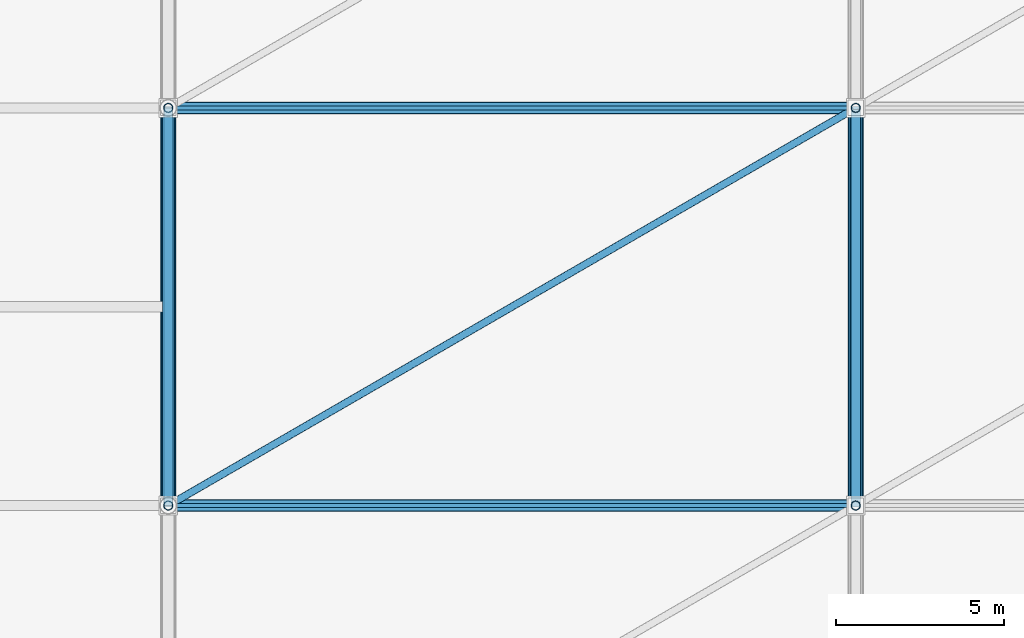
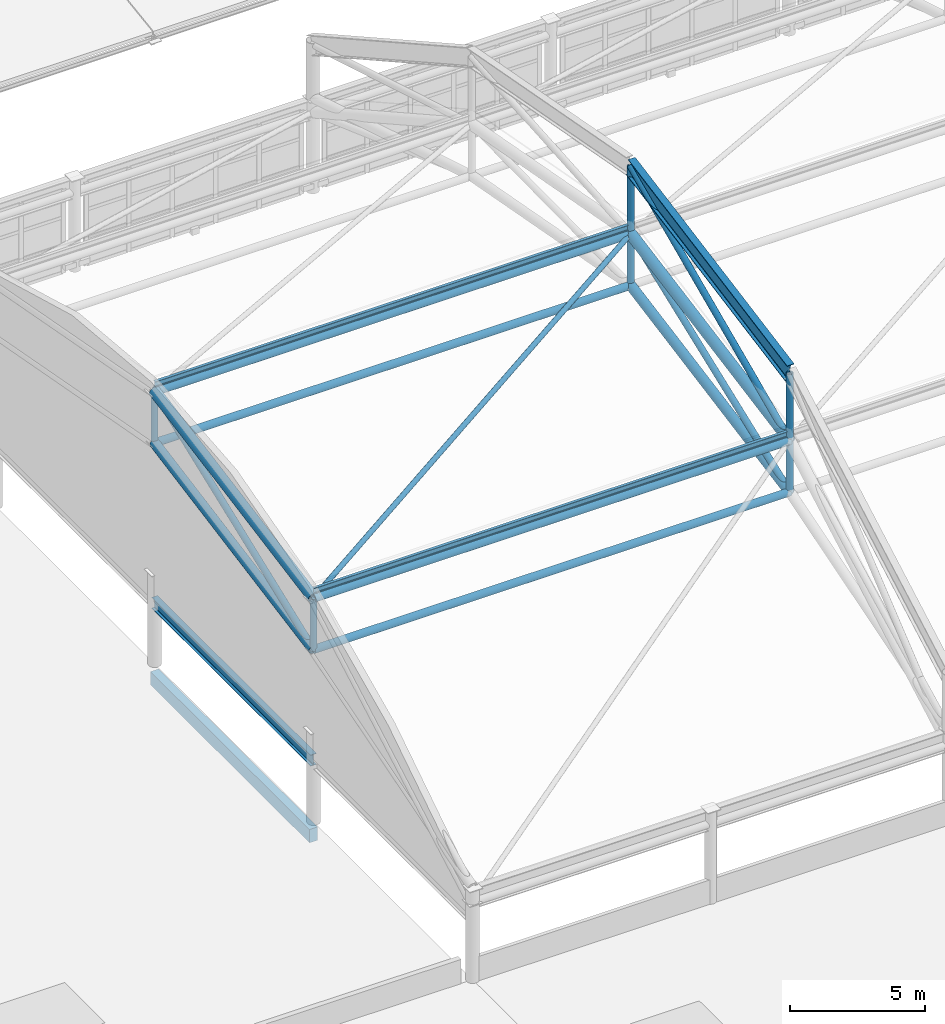
# One storey, part 55 of 135: 20 members, 3 beams.
"""IFC4 building model written with IfcOpenShell, lengths in metres."""

from ifc_helpers import new_model, si_unit, direction, frame, origin, origin_2d, place, context, subcontext, project, spatial, rectangle, hollow_circle, i_section, extrude, material, material_profile, profile_set, type_object, element, save


model = new_model("IFC4")

# Units and contexts
model_context = context("Model", 3, precision=1e-05, world=origin(), true_north=direction((0.0, 1.0)))
body_context = subcontext(model_context, "Body", "Model", "MODEL_VIEW")
ifc_project = project(units=[si_unit("LENGTHUNIT", "METRE"), si_unit("AREAUNIT", "SQUARE_METRE"), si_unit("VOLUMEUNIT", "CUBIC_METRE"), si_unit("PLANEANGLEUNIT", "RADIAN"), si_unit("MASSUNIT", "GRAM", prefix="KILO")], contexts=[model_context])

# Site, building, storey
site_placement = place(None, origin())
site = spatial("IfcSite", under=ifc_project, at=site_placement, CompositionType="ELEMENT")
building_placement = place(site_placement, origin())
building = spatial("IfcBuilding", under=site, at=building_placement, Name="Brelvane Convention Centre", CompositionType="ELEMENT")
storey_placement = place(building_placement, frame((0.0, 0.0, 15.0)))
storey = spatial("IfcBuildingStorey", under=building, at=storey_placement, Name="L03", CompositionType="ELEMENT", Elevation=15.0)

# Beams
ifc_material_1 = material(Name="Concrete M40", Category="concrete")
ifc_material_profile_1 = material_profile(ifc_material_1, rectangle(XDim=0.35009765625, YDim=0.60009765625, at=origin_2d()), Name="RC 350x600")
ifc_profile_set_1 = profile_set([ifc_material_profile_1], Name="Concrete M40")
beam_type_1 = type_object("IfcBeamType", Name="RC Spandrel SP-RC2 (RC 350x600)", PredefinedType="SPANDREL", material=ifc_profile_set_1)
beam_1_placement = place(storey_placement, frame((163.199951171875, 52.39990234375, -0.60009765625), z_axis=(0.0, 1.0, 0.0), x_axis=(-1.0, 0.0, 0.0)))
element("IfcBeam", 1, at=beam_1_placement, inside=storey, type_object=beam_type_1, Name="L03 Girder 17/F-G", PredefinedType="SPANDREL", context=body_context, shape_type="SweptSolid", body=[
    extrude(rectangle(XDim=0.35009765625, YDim=0.60009765625, at=origin_2d()), origin(), (0.0, 0.0, 1.0), 11.800048828125),
])
ifc_material_2 = material(Name="Steel E450 (450 MPa)", Category="steel")
ifc_material_profile_2 = material_profile(ifc_material_2, i_section(OverallWidth=0.300048828125, OverallDepth=0.800048828125, WebThickness=0.015380859375, FlangeThickness=0.030029296875, FilletRadius=0.027099609375, at=origin_2d()), Name="NPB 800x300")
ifc_profile_set_2 = profile_set([ifc_material_profile_2], Name="Steel E450 (450 MPa)")
beam_type_2 = type_object("IfcBeamType", Name="Steel Beam B-ST2 (NPB 800x300)", PredefinedType="BEAM", material=ifc_profile_set_2)
beam_2_placement = place(storey_placement, frame((183.60009765625, 52.39990234375, 13.199951171875), z_axis=(0.0, 0.983061168522, 0.183277764458), x_axis=(-1.0, 0.0, 0.0)))
element("IfcBeam", 2, at=beam_2_placement, inside=storey, type_object=beam_type_2, Name="EXO_PLEN Exoskeletal Arch Girder 2.2", PredefinedType="BEAM", context=body_context, shape_type="SweptSolid", body=[
    extrude(i_section(OverallWidth=0.300048828125, OverallDepth=0.800048828125, WebThickness=0.015380859375, FlangeThickness=0.030029296875, FilletRadius=0.027099609375, at=origin_2d()), origin(), (0.0, 0.0, 1.0), 12.00341796875),
])

# Members
ifc_material_3 = material(Name="Steel E350 (350 MPa)", Category="steel")
ifc_material_profile_3 = material_profile(ifc_material_3, hollow_circle(Radius=0.136474609375, WallThickness=0.012451171875, at=origin_2d()), Name="CHS 273.0x12.5")
ifc_profile_set_3 = profile_set([ifc_material_profile_3], Name="Steel E350 (350 MPa)")
member_type_1 = type_object("IfcMemberType", Name="Steel Brace SF-DG1 (CHS 273.0x12.5)", PredefinedType="BRACE", material=ifc_profile_set_3)
for number, where, z_axis, x_axis, name in (
    (3, (163.199951171875, 52.39990234375, 7.800048828125), (0.0, 0.933304292812, 0.359086475682), (-1.0, 0.0, 0.0), "SF_PLEN Space-Frame Web Diagonal D1.2"),
    (4, (183.60009765625, 52.39990234375, 7.800048828125), (0.0, 0.933304292812, 0.359086475682), (-1.0, 0.0, 0.0), "SF_PLEN Space-Frame Web Diagonal D2.2"),
):
    element("IfcMember", number, at=place(storey_placement, frame(where, z_axis=z_axis, x_axis=x_axis)), inside=storey, type_object=member_type_1, Name=name, PredefinedType="BRACE", context=body_context, shape_type="SweptSolid", body=[
        extrude(hollow_circle(Radius=0.136474609375, WallThickness=0.012451171875, at=origin_2d()), origin(), (0.0, 0.0, 1.0), 12.643310546875),
    ])
member_1_placement = place(storey_placement, frame((183.60009765625, 52.39990234375, 10.139892578125), z_axis=(0.0, 0.913364473942, 0.407142895973), x_axis=(-1.0, 0.0, 0.0)))
element("IfcMember", 5, at=member_1_placement, inside=storey, type_object=member_type_1, Name="EXO_PLEN Exoskeletal Arch Web 2.2", PredefinedType="BRACE", context=body_context, shape_type="SweptSolid", body=[
    extrude(hollow_circle(Radius=0.136474609375, WallThickness=0.012451171875, at=origin_2d()), origin(), (0.0, 0.0, 1.0), 12.91943359375),
])
ifc_material_4 = material(Name="Steel E350 (350 MPa)", Category="steel")
ifc_material_profile_4 = material_profile(ifc_material_4, hollow_circle(Radius=0.109619140625, WallThickness=0.010009765625, at=origin_2d()), Name="CHS 219.1x10.0")
ifc_profile_set_4 = profile_set([ifc_material_profile_4], Name="Steel E350 (350 MPa)")
member_type_2 = type_object("IfcMemberType", Name="Steel Brace SF-DG2 (CHS 219.1x10.0)", PredefinedType="BRACE", material=ifc_profile_set_4)
member_2_placement = place(storey_placement, frame((163.199951171875, 52.39990234375, 10.139892578125), z_axis=(0.861872716766, 0.498532701677, 0.092954641912), x_axis=(-0.500700562715, 0.865620555727, 0.0)))
element("IfcMember", 6, at=member_2_placement, inside=storey, type_object=member_type_2, Name="SF_PLEN Roof Diaphragm Brace PB1.2", PredefinedType="BRACE", context=body_context, shape_type="SweptSolid", body=[
    extrude(hollow_circle(Radius=0.109619140625, WallThickness=0.010009765625, at=origin_2d()), origin(), (0.0, 0.0, 1.0), 23.669677734375),
])
ifc_material_5 = material(Name="Steel E450 (450 MPa)", Category="steel")
ifc_material_profile_5 = material_profile(ifc_material_5, hollow_circle(Radius=0.203125, WallThickness=0.01611328125, at=origin_2d()), Name="CHS 406.4x16.0")
ifc_profile_set_5 = profile_set([ifc_material_profile_5], Name="Steel E450 (450 MPa)")
member_type_3 = type_object("IfcMemberType", Name="Steel Chord SF-BC1 (CHS 406.4x16.0)", PredefinedType="CHORD", material=ifc_profile_set_5)
for number, where, z_axis, x_axis, name in (
    (7, (163.199951171875, 52.39990234375, 7.800048828125), (0.0, 0.983061168522, 0.183277764458), (-1.0, 0.0, 0.0), "SF_PLEN Space-Frame Bottom Chord B1.2"),
    (8, (183.60009765625, 52.39990234375, 7.800048828125), (0.0, 0.983061168522, 0.183277764458), (-1.0, 0.0, 0.0), "SF_PLEN Space-Frame Bottom Chord B2.2"),
):
    element("IfcMember", number, at=place(storey_placement, frame(where, z_axis=z_axis, x_axis=x_axis)), inside=storey, type_object=member_type_3, Name=name, PredefinedType="CHORD", context=body_context, shape_type="SweptSolid", body=[
        extrude(hollow_circle(Radius=0.203125, WallThickness=0.01611328125, at=origin_2d()), origin(), (0.0, 0.0, 1.0), 12.00341796875),
    ])
ifc_material_6 = material(Name="Steel E350 (350 MPa)", Category="steel")
ifc_material_profile_6 = material_profile(ifc_material_6, hollow_circle(Radius=0.161865234375, WallThickness=0.012451171875, at=origin_2d()), Name="CHS 323.9x12.5")
ifc_profile_set_6 = profile_set([ifc_material_profile_6], Name="Steel E350 (350 MPa)")
member_type_4 = type_object("IfcMemberType", Name="Steel Chord SF-BC2 (CHS 323.9x12.5)", PredefinedType="CHORD", material=ifc_profile_set_6)
for number, where, z_axis, x_axis, name in (
    (9, (163.199951171875, 52.39990234375, 7.800048828125), (1.0, 0.0, 0.0), (0.0, 1.0, 0.0), "SF_PLEN Longitudinal Bottom Chord LB1.2"),
    (10, (163.199951171875, 64.199951171875, 10.0), (1.0, 0.0, 0.0), (0.0, 1.0, 0.0), "SF_PLEN Longitudinal Bottom Chord LB1.3"),
):
    element("IfcMember", number, at=place(storey_placement, frame(where, z_axis=z_axis, x_axis=x_axis)), inside=storey, type_object=member_type_4, Name=name, PredefinedType="CHORD", context=body_context, shape_type="SweptSolid", body=[
        extrude(hollow_circle(Radius=0.161865234375, WallThickness=0.012451171875, at=origin_2d()), origin(), (0.0, 0.0, 1.0), 20.400146484375),
    ])
ifc_material_7 = material(Name="Steel E450 (450 MPa)", Category="steel")
ifc_material_profile_7 = material_profile(ifc_material_7, hollow_circle(Radius=0.228515625, WallThickness=0.02001953125, at=origin_2d()), Name="CHS 457.0x20.0")
ifc_profile_set_7 = profile_set([ifc_material_profile_7], Name="Steel E450 (450 MPa)")
member_type_5 = type_object("IfcMemberType", Name="Steel Chord SF-TC1 (CHS 457.0x20.0)", PredefinedType="CHORD", material=ifc_profile_set_7)
for number, where, z_axis, x_axis, name in (
    (11, (163.199951171875, 52.39990234375, 10.139892578125), (0.0, 0.983057503734, 0.183297420472), (-1.0, 0.0, 0.0), "SF_PLEN Space-Frame Top Chord T1.2"),
    (12, (183.60009765625, 52.39990234375, 10.139892578125), (0.0, 0.983057503734, 0.183297420472), (-1.0, 0.0, 0.0), "SF_PLEN Space-Frame Top Chord T2.2"),
):
    element("IfcMember", number, at=place(storey_placement, frame(where, z_axis=z_axis, x_axis=x_axis)), inside=storey, type_object=member_type_5, Name=name, PredefinedType="CHORD", context=body_context, shape_type="SweptSolid", body=[
        extrude(hollow_circle(Radius=0.228515625, WallThickness=0.02001953125, at=origin_2d()), origin(), (0.0, 0.0, 1.0), 12.00341796875),
    ])
ifc_material_8 = material(Name="Steel E450 (450 MPa)", Category="steel")
ifc_material_profile_8 = material_profile(ifc_material_8, hollow_circle(Radius=0.177734375, WallThickness=0.01611328125, at=origin_2d()), Name="CHS 355.6x16.0")
ifc_profile_set_8 = profile_set([ifc_material_profile_8], Name="Steel E450 (450 MPa)")
member_type_6 = type_object("IfcMemberType", Name="Steel Chord SF-TC2 (CHS 355.6x16.0)", PredefinedType="CHORD", material=ifc_profile_set_8)
for number, where, z_axis, x_axis, name in (
    (13, (163.199951171875, 52.39990234375, 10.139892578125), (1.0, 0.0, 0.0), (0.0, 1.0, 0.0), "SF_PLEN Longitudinal Top Chord LT1.2"),
    (14, (163.199951171875, 64.199951171875, 12.340087890625), (1.0, 0.0, 0.0), (0.0, 1.0, 0.0), "SF_PLEN Longitudinal Top Chord LT1.3"),
):
    element("IfcMember", number, at=place(storey_placement, frame(where, z_axis=z_axis, x_axis=x_axis)), inside=storey, type_object=member_type_6, Name=name, PredefinedType="CHORD", context=body_context, shape_type="SweptSolid", body=[
        extrude(hollow_circle(Radius=0.177734375, WallThickness=0.01611328125, at=origin_2d()), origin(), (0.0, 0.0, 1.0), 20.400146484375),
    ])
ifc_material_9 = material(Name="Steel E350 (350 MPa)", Category="steel")
ifc_material_profile_9 = material_profile(ifc_material_9, i_section(OverallWidth=0.125, OverallDepth=0.25, WebThickness=0.0068359375, FlangeThickness=0.012451171875, FilletRadius=0.012939453125, at=origin_2d()), Name="ISMB 250")
ifc_profile_set_9 = profile_set([ifc_material_profile_9], Name="Steel E350 (350 MPa)")
member_type_7 = type_object("IfcMemberType", Name="Steel Purlin PR-ST1 (ISMB 250)", PredefinedType="PURLIN", material=ifc_profile_set_9)
for number, where, z_axis, x_axis, name in (
    (15, (163.199951171875, 52.39990234375, 10.47509765625), (1.0, 0.0, 0.0), (0.0, 1.0, 0.0), "SF_PLEN Roof Purlin P1.2"),
    (16, (163.199951171875, 64.199951171875, 12.675048828125), (1.0, 0.0, 0.0), (0.0, 1.0, 0.0), "SF_PLEN Roof Purlin P1.3"),
):
    element("IfcMember", number, at=place(storey_placement, frame(where, z_axis=z_axis, x_axis=x_axis)), inside=storey, type_object=member_type_7, Name=name, PredefinedType="PURLIN", context=body_context, shape_type="SweptSolid", body=[
        extrude(i_section(OverallWidth=0.125, OverallDepth=0.25, WebThickness=0.0068359375, FlangeThickness=0.012451171875, FilletRadius=0.012939453125, at=origin_2d()), origin(), (0.0, 0.0, 1.0), 20.400146484375),
    ])

# Beam
ifc_material_10 = material(Name="Steel E350 (350 MPa)", Category="steel")
ifc_material_profile_10 = material_profile(ifc_material_10, i_section(OverallWidth=0.25, OverallDepth=0.5, WebThickness=0.010009765625, FlangeThickness=0.0146484375, FilletRadius=0.01611328125, at=origin_2d()), Name="ISWB 500")
ifc_profile_set_10 = profile_set([ifc_material_profile_10], Name="Steel E350 (350 MPa)")
beam_type_3 = type_object("IfcBeamType", Name="Steel Spandrel SP-ST1 (ISWB 500)", PredefinedType="SPANDREL", material=ifc_profile_set_10)
beam_3_placement = place(storey_placement, frame((163.199951171875, 52.39990234375, 2.800048828125), z_axis=(0.0, 1.0, 0.0), x_axis=(-1.0, 0.0, 0.0)))
element("IfcBeam", 17, at=beam_3_placement, inside=storey, type_object=beam_type_3, Name="Plenary Gable Tie Girder W-2", PredefinedType="SPANDREL", context=body_context, shape_type="SweptSolid", body=[
    extrude(i_section(OverallWidth=0.25, OverallDepth=0.5, WebThickness=0.010009765625, FlangeThickness=0.0146484375, FilletRadius=0.01611328125, at=origin_2d()), origin(), (0.0, 0.0, 1.0), 11.800048828125),
])

# Members
ifc_material_11 = material(Name="Steel E350 (350 MPa)", Category="steel")
ifc_material_profile_11 = material_profile(ifc_material_11, hollow_circle(Radius=0.136474609375, WallThickness=0.012451171875, at=origin_2d()), Name="CHS 273.0x12.5")
ifc_profile_set_11 = profile_set([ifc_material_profile_11], Name="Steel E350 (350 MPa)")
member_type_8 = type_object("IfcMemberType", Name="Steel Strut SF-VT1 (CHS 273.0x12.5)", PredefinedType="STRUT", material=ifc_profile_set_11)
member_3_placement = place(storey_placement, frame((163.199951171875, 52.39990234375, 7.800048828125), z_axis=(0.0, 0.0, 1.0), x_axis=(1.0, 0.0, 0.0)))
element("IfcMember", 18, at=member_3_placement, inside=storey, type_object=member_type_8, Name="SF_PLEN Space-Frame Post V1.1", PredefinedType="STRUT", context=body_context, shape_type="SweptSolid", body=[
    extrude(hollow_circle(Radius=0.136474609375, WallThickness=0.012451171875, at=origin_2d()), origin(), (0.0, 0.0, 1.0), 2.33984375),
])
member_4_placement = place(storey_placement, frame((163.199951171875, 64.199951171875, 10.0), z_axis=(0.0, 0.0, 1.0), x_axis=(1.0, 0.0, 0.0)))
element("IfcMember", 19, at=member_4_placement, inside=storey, type_object=member_type_8, Name="SF_PLEN Space-Frame Post V1.2", PredefinedType="STRUT", context=body_context, shape_type="SweptSolid", body=[
    extrude(hollow_circle(Radius=0.136474609375, WallThickness=0.012451171875, at=origin_2d()), origin(), (0.0, 0.0, 1.0), 2.340087890625),
])
member_5_placement = place(storey_placement, frame((183.60009765625, 52.39990234375, 7.800048828125), z_axis=(0.0, 0.0, 1.0), x_axis=(1.0, 0.0, 0.0)))
element("IfcMember", 20, at=member_5_placement, inside=storey, type_object=member_type_8, Name="SF_PLEN Space-Frame Post V2.1", PredefinedType="STRUT", context=body_context, shape_type="SweptSolid", body=[
    extrude(hollow_circle(Radius=0.136474609375, WallThickness=0.012451171875, at=origin_2d()), origin(), (0.0, 0.0, 1.0), 2.33984375),
])
member_6_placement = place(storey_placement, frame((183.60009765625, 64.199951171875, 10.0), z_axis=(0.0, 0.0, 1.0), x_axis=(1.0, 0.0, 0.0)))
element("IfcMember", 21, at=member_6_placement, inside=storey, type_object=member_type_8, Name="SF_PLEN Space-Frame Post V2.2", PredefinedType="STRUT", context=body_context, shape_type="SweptSolid", body=[
    extrude(hollow_circle(Radius=0.136474609375, WallThickness=0.012451171875, at=origin_2d()), origin(), (0.0, 0.0, 1.0), 2.340087890625),
])
member_7_placement = place(storey_placement, frame((183.60009765625, 52.39990234375, 10.139892578125), z_axis=(0.0, 0.0, 1.0), x_axis=(1.0, 0.0, 0.0)))
element("IfcMember", 22, at=member_7_placement, inside=storey, type_object=member_type_8, Name="EXO_PLEN Roof Suspension Hanger 2.1", PredefinedType="STRUT", context=body_context, shape_type="SweptSolid", body=[
    extrude(hollow_circle(Radius=0.136474609375, WallThickness=0.012451171875, at=origin_2d()), origin(), (0.0, 0.0, 1.0), 3.06005859375),
])
member_8_placement = place(storey_placement, frame((183.60009765625, 64.199951171875, 12.340087890625), z_axis=(0.0, 0.0, 1.0), x_axis=(1.0, 0.0, 0.0)))
element("IfcMember", 23, at=member_8_placement, inside=storey, type_object=member_type_8, Name="EXO_PLEN Roof Suspension Hanger 2.2", PredefinedType="STRUT", context=body_context, shape_type="SweptSolid", body=[
    extrude(hollow_circle(Radius=0.136474609375, WallThickness=0.012451171875, at=origin_2d()), origin(), (0.0, 0.0, 1.0), 3.059814453125),
])

save(model, "model.ifc")
